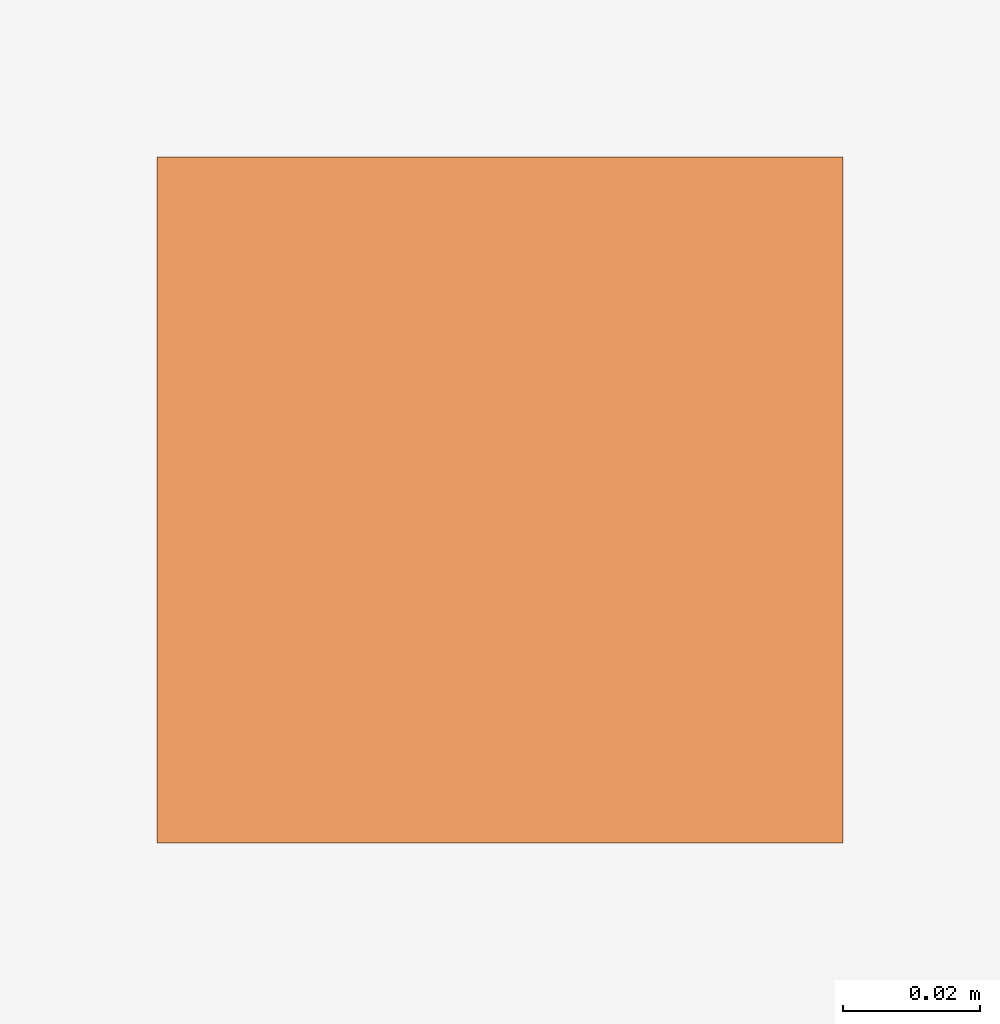
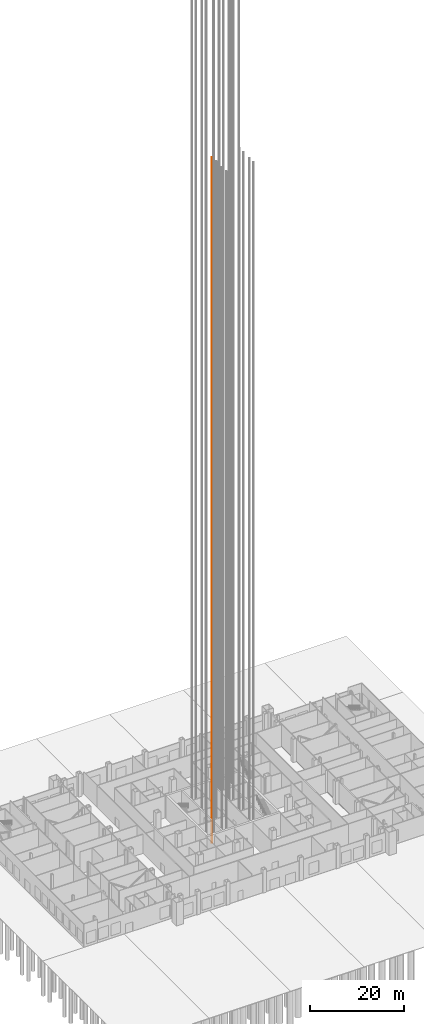
# One storey, part 25 of 36: 1 proxy.
"""IFC4 building model written with IfcOpenShell, lengths in metres."""

from ifc_helpers import new_model, si_unit, direction, frame, origin, origin_2d, place, context, subcontext, project, spatial, rectangle, extrude, material, type_object, element, save


model = new_model("IFC4")

# Units and contexts
model_context = context("Model", 3, precision=1e-05, world=origin(), true_north=direction((0.0, 1.0)))
body_context = subcontext(model_context, "Body", "Model", "MODEL_VIEW")
ifc_project = project(units=[si_unit("LENGTHUNIT", "METRE"), si_unit("AREAUNIT", "SQUARE_METRE"), si_unit("VOLUMEUNIT", "CUBIC_METRE"), si_unit("PLANEANGLEUNIT", "RADIAN"), si_unit("MASSUNIT", "GRAM", prefix="KILO")], contexts=[model_context])

# Site, building, storey
site_placement = place(None, origin())
site = spatial("IfcSite", under=ifc_project, at=site_placement, CompositionType="ELEMENT")
building_placement = place(site_placement, origin())
building = spatial("IfcBuilding", under=site, at=building_placement, Name="Malebo Sky Hospital", CompositionType="ELEMENT")
storey_placement = place(building_placement, origin())
storey = spatial("IfcBuildingStorey", under=building, at=storey_placement, Name="L00", CompositionType="ELEMENT", Elevation=0.0)

# Proxy
ifc_material = material(Name="Steel S355", Category="steel")
building_element_proxy_type = type_object("IfcBuildingElementProxyType", Name="LIFT GUIDE RAIL 100", PredefinedType="USERDEFINED", material=ifc_material)
proxy_placement = place(storey_placement, frame((56.64990234375, 60.77490234375, 0.0)))
element("IfcBuildingElementProxy", 1, at=proxy_placement, inside=storey, type_object=building_element_proxy_type, Name="Lift W2 guide rail 2", ObjectType="LIFT GUIDE RAIL", PredefinedType="USERDEFINED", context=body_context, shape_type="SweptSolid", body=[
    extrude(rectangle(XDim=0.10009765625, YDim=0.10009765625, at=origin_2d()), frame((0.0, 0.0, -2.25)), (0.0, 0.0, 1.0), 177.75),
])

save(model, "model.ifc")
